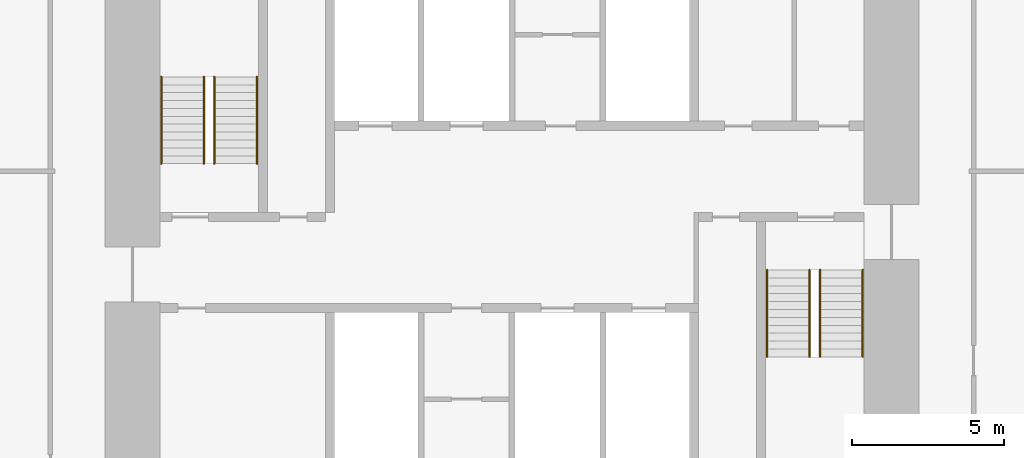
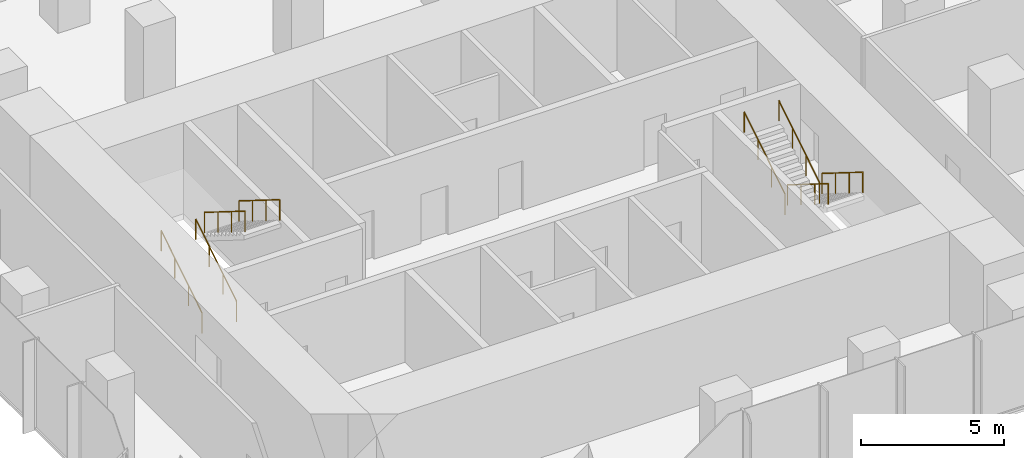
# One storey, part 11 of 11: 8 railings.
"""IFC4 building model written with IfcOpenShell, lengths in metres."""

from ifc_helpers import new_model, si_unit, direction, frame, origin, origin_2d, place, context, subcontext, project, spatial, circle, extrude, material, type_object, element, save


model = new_model("IFC4")

# Units and contexts
model_context = context("Model", 3, precision=1e-05, world=origin(), true_north=direction((0.0, 1.0)))
body_context = subcontext(model_context, "Body", "Model", "MODEL_VIEW")
ifc_project = project(units=[si_unit("LENGTHUNIT", "METRE"), si_unit("AREAUNIT", "SQUARE_METRE"), si_unit("VOLUMEUNIT", "CUBIC_METRE"), si_unit("PLANEANGLEUNIT", "RADIAN"), si_unit("MASSUNIT", "GRAM", prefix="KILO")], contexts=[model_context])

# Site, building, storey
site_placement = place(None, origin())
site = spatial("IfcSite", under=ifc_project, at=site_placement, CompositionType="ELEMENT")
building_placement = place(site_placement, origin())
building = spatial("IfcBuilding", under=site, at=building_placement, Name="Highveld Stack Headquarters", CompositionType="ELEMENT")
storey_placement = place(building_placement, frame((0.0, 0.0, 177.199951171875)))
storey = spatial("IfcBuildingStorey", under=building, at=storey_placement, Name="L43", CompositionType="ELEMENT", Elevation=177.199951171875)

# Railings
ifc_material = material(Name="Stainless steel handrail", Category="steel")
railing_type = type_object("IfcRailingType", Name="STAIR HANDRAIL HR1 900", PredefinedType="HANDRAIL", material=ifc_material)
for number, where, name in (
    (1, (-5.550048828125, 4.75, 0.16259765625), "Handrail S1 L43 flight 1"),
    (2, (-4.14990234375, 4.75, 0.16259765625), "Handrail S1 L43 flight 1"),
):
    element("IfcRailing", number, at=place(storey_placement, frame(where)), inside=storey, type_object=railing_type, Name=name, PredefinedType="HANDRAIL", context=body_context, shape_type="SweptSolid", body=[
        extrude(circle(Radius=0.02392578125, at=origin_2d()), frame((0.0, 0.0, 0.8759765625), z_axis=(0.0, 0.848026770018, 0.529953391661), x_axis=(-1.0, 0.0, 0.0)), (0.0, 0.0, 1.0), 3.37255859375),
        extrude(circle(Radius=0.02099609375, at=origin_2d()), origin(), (0.0, 0.0, 1.0), 0.851806640625),
        extrude(circle(Radius=0.02099609375, at=origin_2d()), frame((0.0, 0.953369140625, 0.595703125)), (0.0, 0.0, 1.0), 0.851806640625),
        extrude(circle(Radius=0.02099609375, at=origin_2d()), frame((0.0, 1.90673828125, 1.191650390625)), (0.0, 0.0, 1.0), 0.851806640625),
        extrude(circle(Radius=0.02099609375, at=origin_2d()), frame((0.0, 2.860107421875, 1.787353515625)), (0.0, 0.0, 1.0), 0.851806640625),
    ])
for number, where, name in (
    (3, (-3.800048828125, 7.610107421875, 2.112548828125), "Handrail S1 L43 flight 2"),
    (4, (-2.39990234375, 7.610107421875, 2.112548828125), "Handrail S1 L43 flight 2"),
):
    element("IfcRailing", number, at=place(storey_placement, frame(where)), inside=storey, type_object=railing_type, Name=name, PredefinedType="HANDRAIL", context=body_context, shape_type="SweptSolid", body=[
        extrude(circle(Radius=0.02392578125, at=origin_2d()), frame((0.0, 0.0, 0.8759765625), z_axis=(0.0, -0.847994237388, 0.530005446535), x_axis=(1.0, 0.0, 0.0)), (0.0, 0.0, 1.0), 3.372802734375),
        extrude(circle(Radius=0.02099609375, at=origin_2d()), origin(), (0.0, 0.0, 1.0), 0.851806640625),
        extrude(circle(Radius=0.02099609375, at=origin_2d()), frame((0.0, -0.953369140625, 0.595947265625)), (0.0, 0.0, 1.0), 0.851806640625),
        extrude(circle(Radius=0.02099609375, at=origin_2d()), frame((0.0, -1.90673828125, 1.191650390625)), (0.0, 0.0, 1.0), 0.851806640625),
        extrude(circle(Radius=0.02099609375, at=origin_2d()), frame((0.0, -2.860107421875, 1.78759765625)), (0.0, 0.0, 1.0), 0.851806640625),
    ])
for number, where, name in (
    (5, (16.14990234375, 1.25, 0.16259765625), "Handrail S2 L43 flight 1"),
    (6, (17.550048828125, 1.25, 0.16259765625), "Handrail S2 L43 flight 1"),
):
    element("IfcRailing", number, at=place(storey_placement, frame(where)), inside=storey, type_object=railing_type, Name=name, PredefinedType="HANDRAIL", context=body_context, shape_type="SweptSolid", body=[
        extrude(circle(Radius=0.02392578125, at=origin_2d()), frame((0.0, 0.0, 0.8759765625), z_axis=(0.0, -0.848026770018, 0.529953391661), x_axis=(1.0, 0.0, 0.0)), (0.0, 0.0, 1.0), 3.37255859375),
        extrude(circle(Radius=0.02099609375, at=origin_2d()), origin(), (0.0, 0.0, 1.0), 0.851806640625),
        extrude(circle(Radius=0.02099609375, at=origin_2d()), frame((0.0, -0.953369140625, 0.595703125)), (0.0, 0.0, 1.0), 0.851806640625),
        extrude(circle(Radius=0.02099609375, at=origin_2d()), frame((0.0, -1.90673828125, 1.191650390625)), (0.0, 0.0, 1.0), 0.851806640625),
        extrude(circle(Radius=0.02099609375, at=origin_2d()), frame((0.0, -2.860107421875, 1.787353515625)), (0.0, 0.0, 1.0), 0.851806640625),
    ])
for number, where, name in (
    (7, (14.39990234375, -1.610107421875, 2.112548828125), "Handrail S2 L43 flight 2"),
    (8, (15.800048828125, -1.610107421875, 2.112548828125), "Handrail S2 L43 flight 2"),
):
    element("IfcRailing", number, at=place(storey_placement, frame(where)), inside=storey, type_object=railing_type, Name=name, PredefinedType="HANDRAIL", context=body_context, shape_type="SweptSolid", body=[
        extrude(circle(Radius=0.02392578125, at=origin_2d()), frame((0.0, 0.0, 0.8759765625), z_axis=(0.0, 0.847994237388, 0.530005446535), x_axis=(-1.0, 0.0, 0.0)), (0.0, 0.0, 1.0), 3.372802734375),
        extrude(circle(Radius=0.02099609375, at=origin_2d()), origin(), (0.0, 0.0, 1.0), 0.851806640625),
        extrude(circle(Radius=0.02099609375, at=origin_2d()), frame((0.0, 0.953369140625, 0.595947265625)), (0.0, 0.0, 1.0), 0.851806640625),
        extrude(circle(Radius=0.02099609375, at=origin_2d()), frame((0.0, 1.90673828125, 1.191650390625)), (0.0, 0.0, 1.0), 0.851806640625),
        extrude(circle(Radius=0.02099609375, at=origin_2d()), frame((0.0, 2.860107421875, 1.78759765625)), (0.0, 0.0, 1.0), 0.851806640625),
    ])

save(model, "model.ifc")
